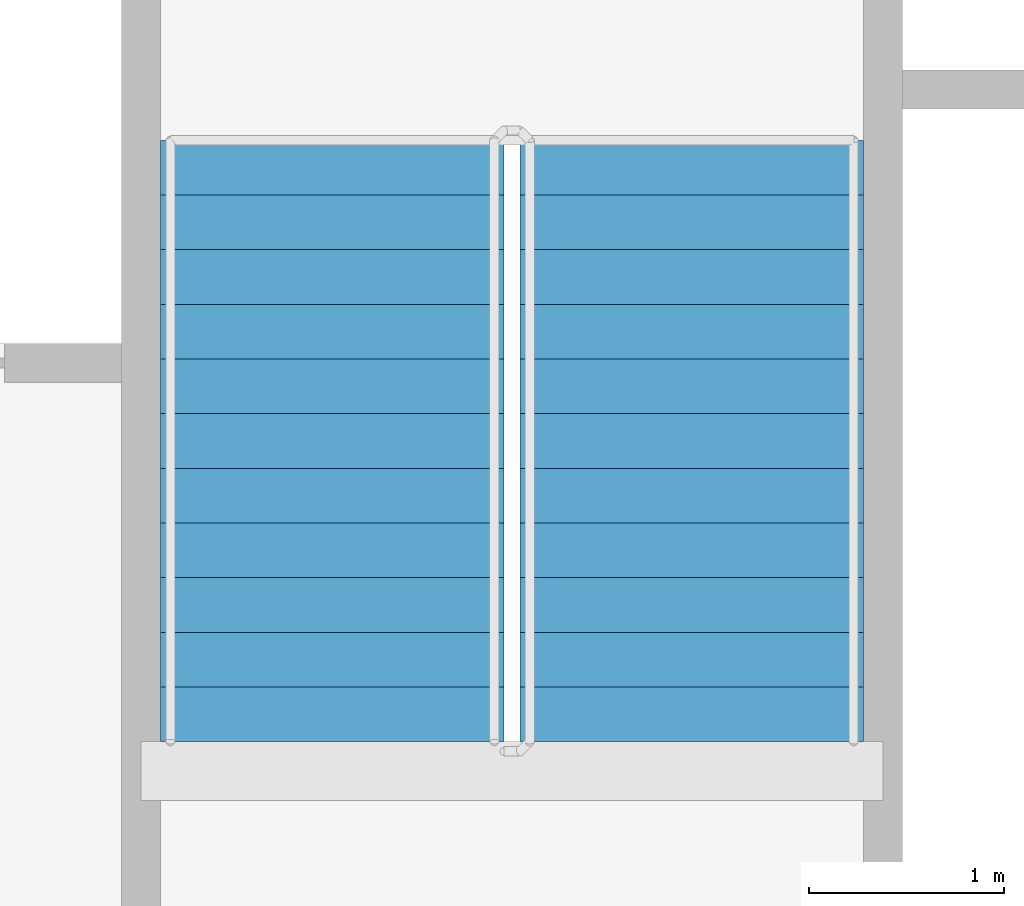
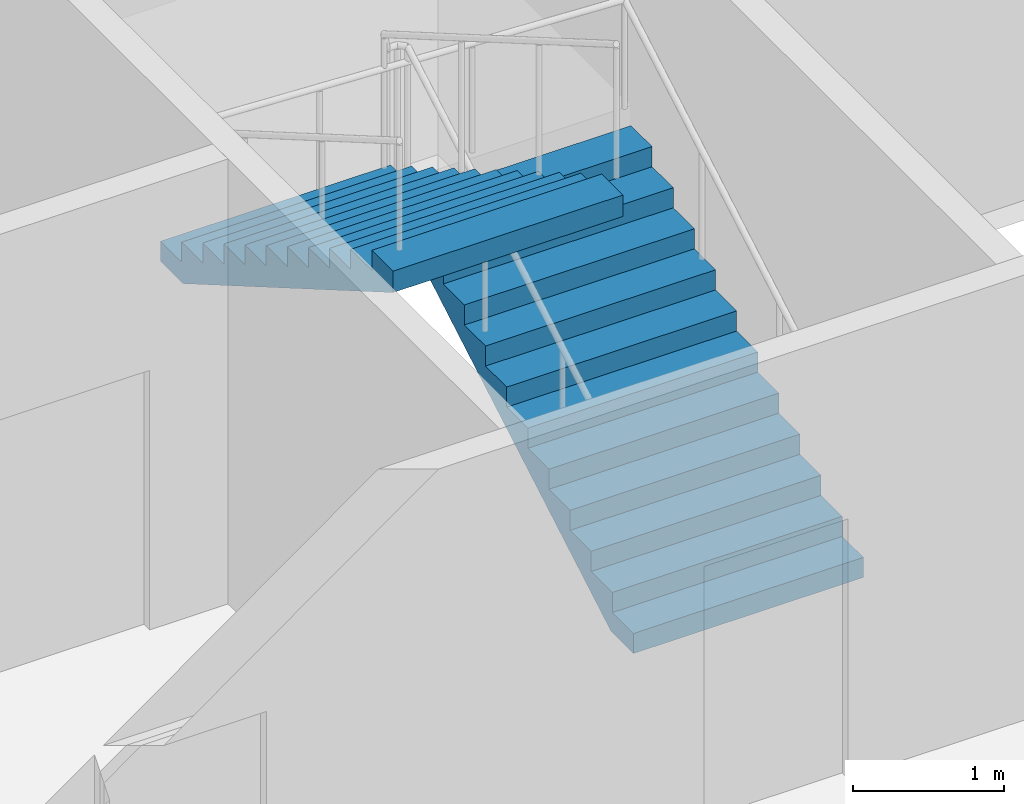
# One storey, part 9 of 11: 2 stair flights, 1 element without a shape of its own.
"""IFC4 building model written with IfcOpenShell, lengths in metres."""

from ifc_helpers import new_model, si_unit, direction, frame, origin, place, context, subcontext, project, spatial, faceted_brep, material, type_object, element, aggregate, save


model = new_model("IFC4")

# Units and contexts
model_context = context("Model", 3, precision=1e-05, world=origin(), true_north=direction((0.0, 1.0)))
body_context = subcontext(model_context, "Body", "Model", "MODEL_VIEW")
ifc_project = project(units=[si_unit("LENGTHUNIT", "METRE"), si_unit("AREAUNIT", "SQUARE_METRE"), si_unit("VOLUMEUNIT", "CUBIC_METRE"), si_unit("PLANEANGLEUNIT", "RADIAN"), si_unit("MASSUNIT", "GRAM", prefix="KILO")], contexts=[model_context])

# Site, building, storey
site_placement = place(None, origin())
site = spatial("IfcSite", under=ifc_project, at=site_placement, CompositionType="ELEMENT")
building_placement = place(site_placement, origin())
building = spatial("IfcBuilding", under=site, at=building_placement, Name="Tarsis Ring Headquarters", CompositionType="ELEMENT")
storey_placement = place(building_placement, frame((0.0, 0.0, 350.89990234375)))
storey = spatial("IfcBuildingStorey", under=building, at=storey_placement, Name="L83", CompositionType="ELEMENT", Elevation=350.89990234375)

# Stair, stair flights
ifc_material_1 = material(Name="Core stair 1760")
stair_type = type_object("IfcStairType", Name="Core stair 1760", PredefinedType="HALF_TURN_STAIR", material=ifc_material_1)
stair_placement = place(storey_placement, origin())
stair = element("IfcStair", 1, at=stair_placement, inside=storey, type_object=stair_type, Name="L83 Exit stair B", PredefinedType="HALF_TURN_STAIR")
ifc_material_2 = material(Name="Concrete C40/50", Category="concrete")
stair_flight_type = type_object("IfcStairFlightType", Name="Core stair flight 1760", PredefinedType="STRAIGHT", material=ifc_material_2)
stair_flight_1_placement = place(storey_placement, frame((5.419921875, 3.659912109375, 0.0), z_axis=(0.0, 0.0, 1.0), x_axis=(0.0, 1.0, 0.0)))
stair_flight_1 = element("IfcStairFlight", 2, at=stair_flight_1_placement, type_object=stair_flight_type, Name="Stair ST2 flight 1", NumberOfRisers=12, NumberOfTreads=11, PredefinedType="STRAIGHT", RiserHeight=0.1625, TreadLength=0.28, context=body_context, shape_type="Brep", body=[
    faceted_brep([(0.0, 0.8798828125, 0.0), (0.0, 0.8798828125, 0.16259765625), (0.280029296875, 0.8798828125, 0.16259765625), (0.280029296875, 0.8798828125, 0.324951171875), (0.56005859375, 0.8798828125, 0.324951171875), (0.56005859375, 0.8798828125, 0.487548828125), (0.840087890625, 0.8798828125, 0.487548828125), (0.840087890625, 0.8798828125, 0.64990234375), (1.1201171875, 0.8798828125, 0.64990234375), (1.1201171875, 0.8798828125, 0.8125), (1.39990234375, 0.8798828125, 0.8125), (1.39990234375, 0.8798828125, 0.97509765625), (1.679931640625, 0.8798828125, 0.97509765625), (1.679931640625, 0.8798828125, 1.137451171875), (1.9599609375, 0.8798828125, 1.137451171875), (1.9599609375, 0.8798828125, 1.300048828125), (2.239990234375, 0.8798828125, 1.300048828125), (2.239990234375, 0.8798828125, 1.46240234375), (2.52001953125, 0.8798828125, 1.46240234375), (2.52001953125, 0.8798828125, 1.625), (2.800048828125, 0.8798828125, 1.625), (2.800048828125, 0.8798828125, 1.78759765625), (3.080078125, 0.8798828125, 1.78759765625), (3.080078125, 0.8798828125, 1.6142578125), (0.298583984375, 0.8798828125, 0.0), (0.298583984375, -0.8798828125, 0.0), (3.080078125, -0.8798828125, 1.6142578125), (3.080078125, -0.8798828125, 1.78759765625), (2.800048828125, -0.8798828125, 1.78759765625), (2.800048828125, -0.8798828125, 1.625), (2.52001953125, -0.8798828125, 1.625), (2.52001953125, -0.8798828125, 1.46240234375), (2.239990234375, -0.8798828125, 1.46240234375), (2.239990234375, -0.8798828125, 1.300048828125), (1.9599609375, -0.8798828125, 1.300048828125), (1.9599609375, -0.8798828125, 1.137451171875), (1.679931640625, -0.8798828125, 1.137451171875), (1.679931640625, -0.8798828125, 0.97509765625), (1.39990234375, -0.8798828125, 0.97509765625), (1.39990234375, -0.8798828125, 0.8125), (1.1201171875, -0.8798828125, 0.8125), (1.1201171875, -0.8798828125, 0.64990234375), (0.840087890625, -0.8798828125, 0.64990234375), (0.840087890625, -0.8798828125, 0.487548828125), (0.56005859375, -0.8798828125, 0.487548828125), (0.56005859375, -0.8798828125, 0.324951171875), (0.280029296875, -0.8798828125, 0.324951171875), (0.280029296875, -0.8798828125, 0.16259765625), (0.0, -0.8798828125, 0.16259765625), (0.0, -0.8798828125, 0.0), (0.0, -0.43994140625, 0.16259765625), (0.0, -0.43994140625, 0.0), (0.0, 0.0, 0.16259765625), (0.0, 0.0, 0.0), (0.0, 0.43994140625, 0.16259765625), (0.0, 0.43994140625, 0.0), (0.280029296875, -0.43994140625, 0.16259765625), (0.280029296875, 0.0, 0.16259765625), (0.280029296875, 0.43994140625, 0.16259765625), (0.280029296875, -0.43994140625, 0.324951171875), (0.280029296875, 0.0, 0.324951171875), (0.280029296875, 0.43994140625, 0.324951171875), (0.56005859375, -0.43994140625, 0.324951171875), (0.56005859375, 0.0, 0.324951171875), (0.56005859375, 0.43994140625, 0.324951171875), (0.56005859375, -0.43994140625, 0.487548828125), (0.56005859375, 0.0, 0.487548828125), (0.56005859375, 0.43994140625, 0.487548828125), (0.840087890625, -0.43994140625, 0.487548828125), (0.840087890625, 0.0, 0.487548828125), (0.840087890625, 0.43994140625, 0.487548828125), (0.840087890625, -0.43994140625, 0.64990234375), (0.840087890625, 0.0, 0.64990234375), (0.840087890625, 0.43994140625, 0.64990234375), (1.1201171875, -0.43994140625, 0.64990234375), (1.1201171875, 0.0, 0.64990234375), (1.1201171875, 0.43994140625, 0.64990234375), (1.1201171875, -0.43994140625, 0.8125), (1.1201171875, 0.0, 0.8125), (1.1201171875, 0.43994140625, 0.8125), (1.39990234375, -0.43994140625, 0.8125), (1.39990234375, 0.0, 0.8125), (1.39990234375, 0.43994140625, 0.8125), (1.39990234375, -0.43994140625, 0.97509765625), (1.39990234375, 0.0, 0.97509765625), (1.39990234375, 0.43994140625, 0.97509765625), (1.679931640625, -0.43994140625, 0.97509765625), (1.679931640625, 0.0, 0.97509765625), (1.679931640625, 0.43994140625, 0.97509765625), (1.679931640625, -0.43994140625, 1.137451171875), (1.679931640625, 0.0, 1.137451171875), (1.679931640625, 0.43994140625, 1.137451171875), (1.9599609375, -0.43994140625, 1.137451171875), (1.9599609375, 0.0, 1.137451171875), (1.9599609375, 0.43994140625, 1.137451171875), (1.9599609375, -0.43994140625, 1.300048828125), (1.9599609375, 0.0, 1.300048828125), (1.9599609375, 0.43994140625, 1.300048828125), (2.239990234375, -0.43994140625, 1.300048828125), (2.239990234375, 0.0, 1.300048828125), (2.239990234375, 0.43994140625, 1.300048828125), (2.239990234375, -0.43994140625, 1.46240234375), (2.239990234375, 0.0, 1.46240234375), (2.239990234375, 0.43994140625, 1.46240234375), (2.52001953125, -0.43994140625, 1.46240234375), (2.52001953125, 0.0, 1.46240234375), (2.52001953125, 0.43994140625, 1.46240234375), (2.52001953125, -0.43994140625, 1.625), (2.52001953125, 0.0, 1.625), (2.52001953125, 0.43994140625, 1.625), (2.800048828125, -0.43994140625, 1.625), (2.800048828125, 0.0, 1.625), (2.800048828125, 0.43994140625, 1.625), (2.800048828125, -0.43994140625, 1.78759765625), (2.800048828125, 0.0, 1.78759765625), (2.800048828125, 0.43994140625, 1.78759765625), (3.080078125, -0.43994140625, 1.78759765625), (3.080078125, 0.0, 1.78759765625), (3.080078125, 0.43994140625, 1.78759765625), (3.080078125, -0.43994140625, 1.6142578125), (3.080078125, 0.0, 1.6142578125), (3.080078125, 0.43994140625, 1.6142578125), (0.298583984375, -0.43994140625, 0.0), (0.298583984375, 0.0, 0.0), (0.298583984375, 0.43994140625, 0.0)], [[[0, 1, 2, 3, 4, 5, 6, 7, 8, 9, 10, 11, 12, 13, 14, 15, 16, 17, 18, 19, 20, 21, 22, 23, 24]], [[25, 26, 27, 28, 29, 30, 31, 32, 33, 34, 35, 36, 37, 38, 39, 40, 41, 42, 43, 44, 45, 46, 47, 48, 49]], [[49, 48, 50, 51]], [[51, 50, 52, 53]], [[53, 52, 54, 55]], [[55, 54, 1, 0]], [[48, 47, 56, 50]], [[50, 56, 57, 52]], [[52, 57, 58, 54]], [[54, 58, 2, 1]], [[47, 46, 59, 56]], [[56, 59, 60, 57]], [[57, 60, 61, 58]], [[58, 61, 3, 2]], [[46, 45, 62, 59]], [[59, 62, 63, 60]], [[60, 63, 64, 61]], [[61, 64, 4, 3]], [[45, 44, 65, 62]], [[62, 65, 66, 63]], [[63, 66, 67, 64]], [[64, 67, 5, 4]], [[44, 43, 68, 65]], [[65, 68, 69, 66]], [[66, 69, 70, 67]], [[67, 70, 6, 5]], [[43, 42, 71, 68]], [[68, 71, 72, 69]], [[69, 72, 73, 70]], [[70, 73, 7, 6]], [[42, 41, 74, 71]], [[71, 74, 75, 72]], [[72, 75, 76, 73]], [[73, 76, 8, 7]], [[41, 40, 77, 74]], [[74, 77, 78, 75]], [[75, 78, 79, 76]], [[76, 79, 9, 8]], [[40, 39, 80, 77]], [[77, 80, 81, 78]], [[78, 81, 82, 79]], [[79, 82, 10, 9]], [[39, 38, 83, 80]], [[80, 83, 84, 81]], [[81, 84, 85, 82]], [[82, 85, 11, 10]], [[38, 37, 86, 83]], [[83, 86, 87, 84]], [[84, 87, 88, 85]], [[85, 88, 12, 11]], [[37, 36, 89, 86]], [[86, 89, 90, 87]], [[87, 90, 91, 88]], [[88, 91, 13, 12]], [[36, 35, 92, 89]], [[89, 92, 93, 90]], [[90, 93, 94, 91]], [[91, 94, 14, 13]], [[35, 34, 95, 92]], [[92, 95, 96, 93]], [[93, 96, 97, 94]], [[94, 97, 15, 14]], [[34, 33, 98, 95]], [[95, 98, 99, 96]], [[96, 99, 100, 97]], [[97, 100, 16, 15]], [[33, 32, 101, 98]], [[98, 101, 102, 99]], [[99, 102, 103, 100]], [[100, 103, 17, 16]], [[32, 31, 104, 101]], [[101, 104, 105, 102]], [[102, 105, 106, 103]], [[103, 106, 18, 17]], [[31, 30, 107, 104]], [[104, 107, 108, 105]], [[105, 108, 109, 106]], [[106, 109, 19, 18]], [[30, 29, 110, 107]], [[107, 110, 111, 108]], [[108, 111, 112, 109]], [[109, 112, 20, 19]], [[29, 28, 113, 110]], [[110, 113, 114, 111]], [[111, 114, 115, 112]], [[112, 115, 21, 20]], [[28, 27, 116, 113]], [[113, 116, 117, 114]], [[114, 117, 118, 115]], [[115, 118, 22, 21]], [[27, 26, 119, 116]], [[116, 119, 120, 117]], [[117, 120, 121, 118]], [[118, 121, 23, 22]], [[26, 25, 122, 119]], [[119, 122, 123, 120]], [[120, 123, 124, 121]], [[121, 124, 24, 23]], [[25, 49, 51, 122]], [[122, 51, 53, 123]], [[123, 53, 55, 124]], [[124, 55, 0, 24]]]),
])
stair_flight_2_placement = place(storey_placement, frame((3.580078125, 6.739990234375, 1.9501953125), z_axis=(0.0, 0.0, 1.0), x_axis=(0.0, -1.0, 0.0)))
stair_flight_2 = element("IfcStairFlight", 3, at=stair_flight_2_placement, type_object=stair_flight_type, Name="Stair ST2 flight 2", NumberOfRisers=12, NumberOfTreads=11, PredefinedType="STRAIGHT", RiserHeight=0.1625, TreadLength=0.28, context=body_context, shape_type="Brep", body=[
    faceted_brep([(0.0, 0.8798828125, 0.0), (0.0, 0.8798828125, 0.16259765625), (0.280029296875, 0.8798828125, 0.16259765625), (0.280029296875, 0.8798828125, 0.324951171875), (0.56005859375, 0.8798828125, 0.324951171875), (0.56005859375, 0.8798828125, 0.487548828125), (0.840087890625, 0.8798828125, 0.487548828125), (0.840087890625, 0.8798828125, 0.64990234375), (1.1201171875, 0.8798828125, 0.64990234375), (1.1201171875, 0.8798828125, 0.8125), (1.39990234375, 0.8798828125, 0.8125), (1.39990234375, 0.8798828125, 0.97509765625), (1.679931640625, 0.8798828125, 0.97509765625), (1.679931640625, 0.8798828125, 1.137451171875), (1.9599609375, 0.8798828125, 1.137451171875), (1.9599609375, 0.8798828125, 1.300048828125), (2.239990234375, 0.8798828125, 1.300048828125), (2.239990234375, 0.8798828125, 1.46240234375), (2.52001953125, 0.8798828125, 1.46240234375), (2.52001953125, 0.8798828125, 1.625), (2.800048828125, 0.8798828125, 1.625), (2.800048828125, 0.8798828125, 1.78759765625), (3.080078125, 0.8798828125, 1.78759765625), (3.080078125, 0.8798828125, 1.6142578125), (0.298583984375, 0.8798828125, 0.0), (0.298583984375, -0.8798828125, 0.0), (3.080078125, -0.8798828125, 1.6142578125), (3.080078125, -0.8798828125, 1.78759765625), (2.800048828125, -0.8798828125, 1.78759765625), (2.800048828125, -0.8798828125, 1.625), (2.52001953125, -0.8798828125, 1.625), (2.52001953125, -0.8798828125, 1.46240234375), (2.239990234375, -0.8798828125, 1.46240234375), (2.239990234375, -0.8798828125, 1.300048828125), (1.9599609375, -0.8798828125, 1.300048828125), (1.9599609375, -0.8798828125, 1.137451171875), (1.679931640625, -0.8798828125, 1.137451171875), (1.679931640625, -0.8798828125, 0.97509765625), (1.39990234375, -0.8798828125, 0.97509765625), (1.39990234375, -0.8798828125, 0.8125), (1.1201171875, -0.8798828125, 0.8125), (1.1201171875, -0.8798828125, 0.64990234375), (0.840087890625, -0.8798828125, 0.64990234375), (0.840087890625, -0.8798828125, 0.487548828125), (0.56005859375, -0.8798828125, 0.487548828125), (0.56005859375, -0.8798828125, 0.324951171875), (0.280029296875, -0.8798828125, 0.324951171875), (0.280029296875, -0.8798828125, 0.16259765625), (0.0, -0.8798828125, 0.16259765625), (0.0, -0.8798828125, 0.0), (0.0, -0.43994140625, 0.16259765625), (0.0, -0.43994140625, 0.0), (0.0, 0.0, 0.16259765625), (0.0, 0.0, 0.0), (0.0, 0.43994140625, 0.16259765625), (0.0, 0.43994140625, 0.0), (0.280029296875, -0.43994140625, 0.16259765625), (0.280029296875, 0.0, 0.16259765625), (0.280029296875, 0.43994140625, 0.16259765625), (0.280029296875, -0.43994140625, 0.324951171875), (0.280029296875, 0.0, 0.324951171875), (0.280029296875, 0.43994140625, 0.324951171875), (0.56005859375, -0.43994140625, 0.324951171875), (0.56005859375, 0.0, 0.324951171875), (0.56005859375, 0.43994140625, 0.324951171875), (0.56005859375, -0.43994140625, 0.487548828125), (0.56005859375, 0.0, 0.487548828125), (0.56005859375, 0.43994140625, 0.487548828125), (0.840087890625, -0.43994140625, 0.487548828125), (0.840087890625, 0.0, 0.487548828125), (0.840087890625, 0.43994140625, 0.487548828125), (0.840087890625, -0.43994140625, 0.64990234375), (0.840087890625, 0.0, 0.64990234375), (0.840087890625, 0.43994140625, 0.64990234375), (1.1201171875, -0.43994140625, 0.64990234375), (1.1201171875, 0.0, 0.64990234375), (1.1201171875, 0.43994140625, 0.64990234375), (1.1201171875, -0.43994140625, 0.8125), (1.1201171875, 0.0, 0.8125), (1.1201171875, 0.43994140625, 0.8125), (1.39990234375, -0.43994140625, 0.8125), (1.39990234375, 0.0, 0.8125), (1.39990234375, 0.43994140625, 0.8125), (1.39990234375, -0.43994140625, 0.97509765625), (1.39990234375, 0.0, 0.97509765625), (1.39990234375, 0.43994140625, 0.97509765625), (1.679931640625, -0.43994140625, 0.97509765625), (1.679931640625, 0.0, 0.97509765625), (1.679931640625, 0.43994140625, 0.97509765625), (1.679931640625, -0.43994140625, 1.137451171875), (1.679931640625, 0.0, 1.137451171875), (1.679931640625, 0.43994140625, 1.137451171875), (1.9599609375, -0.43994140625, 1.137451171875), (1.9599609375, 0.0, 1.137451171875), (1.9599609375, 0.43994140625, 1.137451171875), (1.9599609375, -0.43994140625, 1.300048828125), (1.9599609375, 0.0, 1.300048828125), (1.9599609375, 0.43994140625, 1.300048828125), (2.239990234375, -0.43994140625, 1.300048828125), (2.239990234375, 0.0, 1.300048828125), (2.239990234375, 0.43994140625, 1.300048828125), (2.239990234375, -0.43994140625, 1.46240234375), (2.239990234375, 0.0, 1.46240234375), (2.239990234375, 0.43994140625, 1.46240234375), (2.52001953125, -0.43994140625, 1.46240234375), (2.52001953125, 0.0, 1.46240234375), (2.52001953125, 0.43994140625, 1.46240234375), (2.52001953125, -0.43994140625, 1.625), (2.52001953125, 0.0, 1.625), (2.52001953125, 0.43994140625, 1.625), (2.800048828125, -0.43994140625, 1.625), (2.800048828125, 0.0, 1.625), (2.800048828125, 0.43994140625, 1.625), (2.800048828125, -0.43994140625, 1.78759765625), (2.800048828125, 0.0, 1.78759765625), (2.800048828125, 0.43994140625, 1.78759765625), (3.080078125, -0.43994140625, 1.78759765625), (3.080078125, 0.0, 1.78759765625), (3.080078125, 0.43994140625, 1.78759765625), (3.080078125, -0.43994140625, 1.6142578125), (3.080078125, 0.0, 1.6142578125), (3.080078125, 0.43994140625, 1.6142578125), (0.298583984375, -0.43994140625, 0.0), (0.298583984375, 0.0, 0.0), (0.298583984375, 0.43994140625, 0.0)], [[[0, 1, 2, 3, 4, 5, 6, 7, 8, 9, 10, 11, 12, 13, 14, 15, 16, 17, 18, 19, 20, 21, 22, 23, 24]], [[25, 26, 27, 28, 29, 30, 31, 32, 33, 34, 35, 36, 37, 38, 39, 40, 41, 42, 43, 44, 45, 46, 47, 48, 49]], [[49, 48, 50, 51]], [[51, 50, 52, 53]], [[53, 52, 54, 55]], [[55, 54, 1, 0]], [[48, 47, 56, 50]], [[50, 56, 57, 52]], [[52, 57, 58, 54]], [[54, 58, 2, 1]], [[47, 46, 59, 56]], [[56, 59, 60, 57]], [[57, 60, 61, 58]], [[58, 61, 3, 2]], [[46, 45, 62, 59]], [[59, 62, 63, 60]], [[60, 63, 64, 61]], [[61, 64, 4, 3]], [[45, 44, 65, 62]], [[62, 65, 66, 63]], [[63, 66, 67, 64]], [[64, 67, 5, 4]], [[44, 43, 68, 65]], [[65, 68, 69, 66]], [[66, 69, 70, 67]], [[67, 70, 6, 5]], [[43, 42, 71, 68]], [[68, 71, 72, 69]], [[69, 72, 73, 70]], [[70, 73, 7, 6]], [[42, 41, 74, 71]], [[71, 74, 75, 72]], [[72, 75, 76, 73]], [[73, 76, 8, 7]], [[41, 40, 77, 74]], [[74, 77, 78, 75]], [[75, 78, 79, 76]], [[76, 79, 9, 8]], [[40, 39, 80, 77]], [[77, 80, 81, 78]], [[78, 81, 82, 79]], [[79, 82, 10, 9]], [[39, 38, 83, 80]], [[80, 83, 84, 81]], [[81, 84, 85, 82]], [[82, 85, 11, 10]], [[38, 37, 86, 83]], [[83, 86, 87, 84]], [[84, 87, 88, 85]], [[85, 88, 12, 11]], [[37, 36, 89, 86]], [[86, 89, 90, 87]], [[87, 90, 91, 88]], [[88, 91, 13, 12]], [[36, 35, 92, 89]], [[89, 92, 93, 90]], [[90, 93, 94, 91]], [[91, 94, 14, 13]], [[35, 34, 95, 92]], [[92, 95, 96, 93]], [[93, 96, 97, 94]], [[94, 97, 15, 14]], [[34, 33, 98, 95]], [[95, 98, 99, 96]], [[96, 99, 100, 97]], [[97, 100, 16, 15]], [[33, 32, 101, 98]], [[98, 101, 102, 99]], [[99, 102, 103, 100]], [[100, 103, 17, 16]], [[32, 31, 104, 101]], [[101, 104, 105, 102]], [[102, 105, 106, 103]], [[103, 106, 18, 17]], [[31, 30, 107, 104]], [[104, 107, 108, 105]], [[105, 108, 109, 106]], [[106, 109, 19, 18]], [[30, 29, 110, 107]], [[107, 110, 111, 108]], [[108, 111, 112, 109]], [[109, 112, 20, 19]], [[29, 28, 113, 110]], [[110, 113, 114, 111]], [[111, 114, 115, 112]], [[112, 115, 21, 20]], [[28, 27, 116, 113]], [[113, 116, 117, 114]], [[114, 117, 118, 115]], [[115, 118, 22, 21]], [[27, 26, 119, 116]], [[116, 119, 120, 117]], [[117, 120, 121, 118]], [[118, 121, 23, 22]], [[26, 25, 122, 119]], [[119, 122, 123, 120]], [[120, 123, 124, 121]], [[121, 124, 24, 23]], [[25, 49, 51, 122]], [[122, 51, 53, 123]], [[123, 53, 55, 124]], [[124, 55, 0, 24]]]),
])
aggregate(stair, [stair_flight_1, stair_flight_2])

save(model, "model.ifc")
